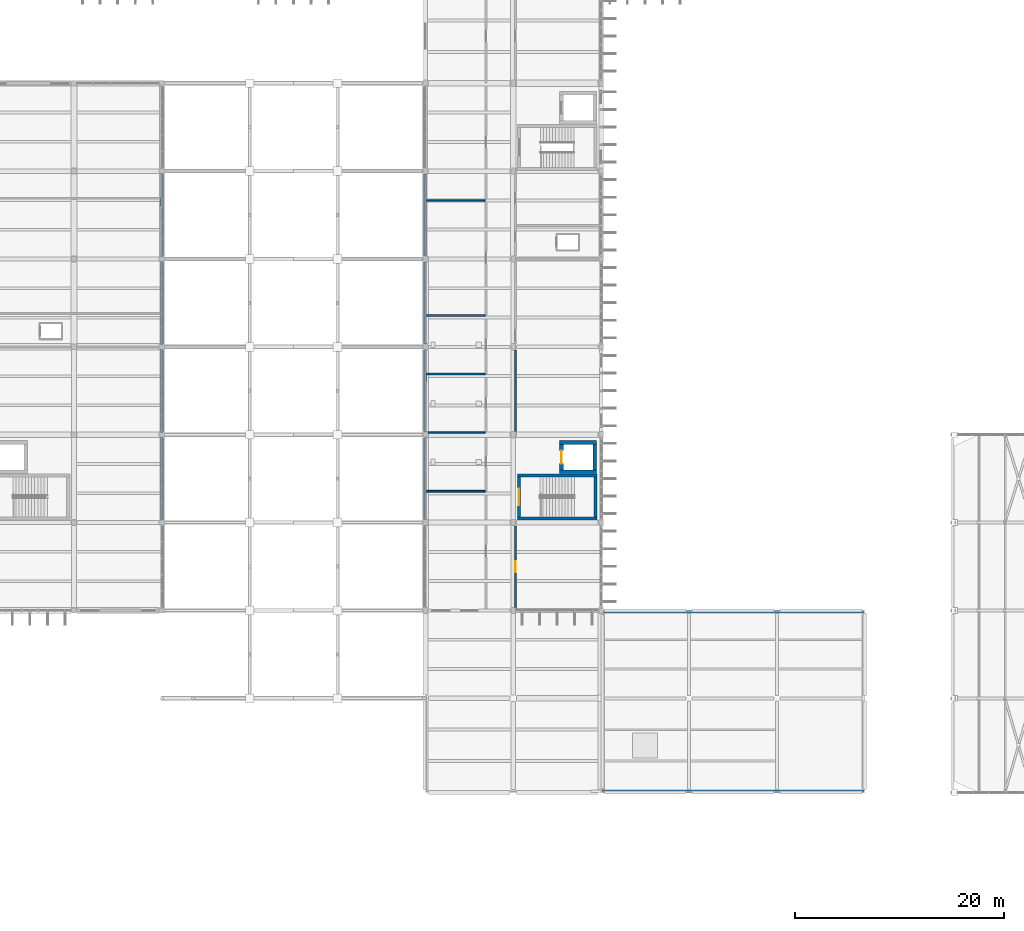
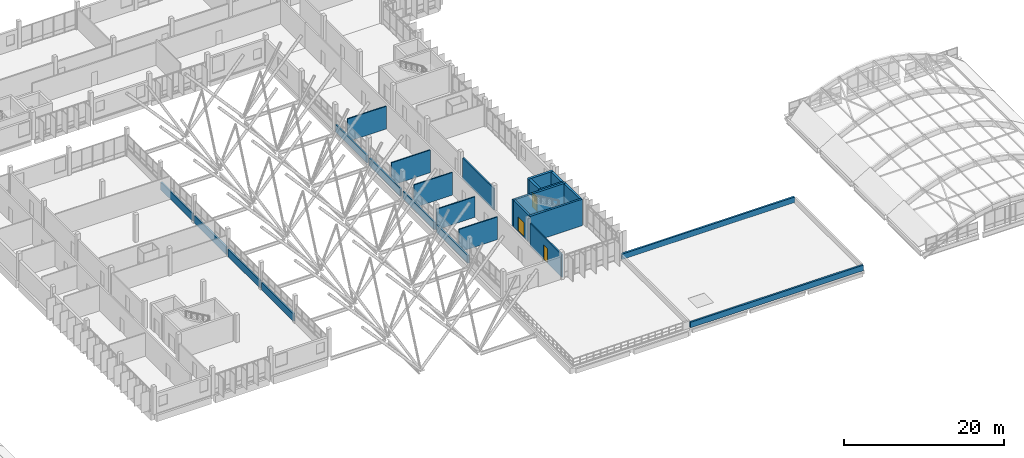
# One storey, part 93 of 107: 25 walls, 3 doors, 3 openings.
"""IFC4 building model written with IfcOpenShell, lengths in metres."""

from ifc_helpers import new_model, si_unit, direction, frame, frame_2d, origin, place, context, subcontext, project, spatial, rectangle, extrude, material, layer, layer_set, type_object, element, fill, save


model = new_model("IFC4")

# Units and contexts
model_context = context("Model", 3, precision=1e-05, world=origin(), true_north=direction((0.0, 1.0)))
body_context = subcontext(model_context, "Body", "Model", "MODEL_VIEW")
ifc_project = project(units=[si_unit("LENGTHUNIT", "METRE"), si_unit("AREAUNIT", "SQUARE_METRE"), si_unit("VOLUMEUNIT", "CUBIC_METRE"), si_unit("PLANEANGLEUNIT", "RADIAN"), si_unit("MASSUNIT", "GRAM", prefix="KILO")], contexts=[model_context])

# Site, building, storey
site_placement = place(None, origin())
site = spatial("IfcSite", under=ifc_project, at=site_placement, CompositionType="ELEMENT")
building_placement = place(site_placement, origin())
building = spatial("IfcBuilding", under=site, at=building_placement, Name="Vireocrest Preparatory School", CompositionType="ELEMENT")
storey_placement = place(building_placement, frame((0.0, 0.0, 13.199951171875)))
storey = spatial("IfcBuildingStorey", under=building, at=storey_placement, Name="L03", CompositionType="ELEMENT", Elevation=13.199951171875)

# Wall, opening, door
ifc_material_1 = material(Name="Gypsum board on cold-formed steel studs", Category="steel")
ifc_layer_1 = layer(ifc_material_1, 0.199951171875)
ifc_layer_set_1 = layer_set([ifc_layer_1], Name="Gypsum board on cold-formed steel studs")
wall_type_1 = type_object("IfcWallType", Name="Corridor One-Hour Fire Partition 200", PredefinedType="PARTITIONING", material=ifc_layer_set_1)
wall_1_placement = place(storey_placement, frame((101.0, 35.56494140625, 0.0), z_axis=(0.0, 0.0, 1.0), x_axis=(0.0, 1.0, 0.0)))
wall_1 = element("IfcWall", 1, at=wall_1_placement, inside=storey, type_object=wall_type_1, Name="Interior Partition W06 IW_L03_0284", PredefinedType="PARTITIONING", context=body_context, shape_type="SweptSolid", body=[
    extrude(rectangle(XDim=7.925048828125, YDim=0.199951171875, at=frame_2d((3.96240234375, 0.0))), origin(), (0.0, 0.0, 1.0), 3.429931640625),
])
opening_1_placement = place(wall_1_placement, frame((3.510009765625, 0.0, 0.0)))
opening_1 = element("IfcOpeningElement", 2, at=opening_1_placement, cuts=wall_1, Name="Opening D-L03-E3E01", PredefinedType="OPENING", context=body_context, shape_type="SweptSolid", body=[
    extrude(rectangle(XDim=1.050048828125, YDim=2.199951171875, at=frame_2d((0.52490234375, 1.10009765625))), frame((0.0, 0.10986328125, 0.0), z_axis=(0.0, -1.0, 0.0), x_axis=(1.0, 0.0, 0.0)), (0.0, 0.0, 1.0), 0.219970703125),
])
ifc_material_2 = material(Name="Painted galvanized hollow steel", Category="steel")
door_type_1 = type_object("IfcDoorType", Name="Laboratory Fire Door 1050x2200", OperationType="NOTDEFINED", PredefinedType="DOOR", material=ifc_material_2)
door_1_placement = place(opening_1_placement, origin())
door_1 = element("IfcDoor", 3, at=door_1_placement, inside=storey, type_object=door_type_1, Name="Interior Door D-L03-E3E01", OperationType="SINGLE_SWING_RIGHT", OverallHeight=2.199951171875, OverallWidth=1.050048828125, PredefinedType="DOOR", context=body_context, shape_type="SweptSolid", body=[
    extrude(rectangle(XDim=1.050048828125, YDim=2.199951171875, at=frame_2d((0.52490234375, 1.10009765625))), frame((0.0, 0.02490234375, 0.0), z_axis=(0.0, -1.0, 0.0), x_axis=(1.0, 0.0, 0.0)), (0.0, 0.0, 1.0), 0.050048828125),
])
fill(opening_1, door_1)

# Walls
wall_2_placement = place(storey_placement, frame((101.0, 52.510009765625, 0.0), z_axis=(0.0, 0.0, 1.0), x_axis=(0.0, 1.0, 0.0)))
element("IfcWall", 4, at=wall_2_placement, inside=storey, type_object=wall_type_1, Name="Interior Partition W06 IW_L03_0287", PredefinedType="PARTITIONING", context=body_context, shape_type="SweptSolid", body=[
    extrude(rectangle(XDim=7.780029296875, YDim=0.199951171875, at=frame_2d((3.89013671875, 0.0))), origin(), (0.0, 0.0, 1.0), 3.239990234375),
])
ifc_material_3 = material(Name="Precast white concrete 40 MPa", Category="concrete")
ifc_layer_2 = layer(ifc_material_3, 0.260009765625)
ifc_layer_set_2 = layer_set([ifc_layer_2], Name="Precast white concrete 40 MPa")
wall_type_2 = type_object("IfcWallType", Name="Insulated Roof Parapet Wall 260", PredefinedType="PARAPET", material=ifc_layer_set_2)
for number, where, z_axis, x_axis, name in (
    (5, (109.330078125, 18.1298828125, 0.0), (0.0, 0.0, 1.0), (1.0, 0.0, 0.0), "Roof Parapet W09 L03_EAST_STUDIO_ROOF-13"),
    (6, (109.330078125, 35.27001953125, 0.0), (0.0, 0.0, 1.0), (1.0, 0.0, 0.0), "Roof Parapet W09 L03_EAST_STUDIO_ROOF-14"),
):
    element("IfcWall", number, at=place(storey_placement, frame(where, z_axis=z_axis, x_axis=x_axis)), inside=storey, type_object=wall_type_2, Name=name, PredefinedType="PARAPET", context=body_context, shape_type="SweptSolid", body=[
        extrude(rectangle(XDim=24.93994140625, YDim=0.260009765625, at=frame_2d((12.469970703125, 0.0))), origin(), (0.0, 0.0, 1.0), 0.85009765625),
    ])
ifc_layer_3 = layer(ifc_material_1, 0.159912109375)
ifc_layer_set_3 = layer_set([ifc_layer_3], Name="Gypsum board on cold-formed steel studs")
wall_type_3 = type_object("IfcWallType", Name="Laboratory Wet-Service Partition Wall 160", PredefinedType="PARTITIONING", material=ifc_layer_set_3)
wall_3_placement = place(storey_placement, frame((92.52490234375, 46.800048828125, 0.0), z_axis=(0.0, 0.0, 1.0), x_axis=(1.0, 0.0, 0.0)))
element("IfcWall", 7, at=wall_3_placement, inside=storey, type_object=wall_type_3, Name="Interior Partition W04 IW_L03_0278", PredefinedType="PARTITIONING", context=body_context, shape_type="SweptSolid", body=[
    extrude(rectangle(XDim=5.570068359375, YDim=0.159912109375, at=frame_2d((2.78515625, 0.0))), origin(), (0.0, 0.0, 1.0), 3.4599609375),
])
wall_4_placement = place(storey_placement, frame((92.52490234375, 52.39990234375, 0.0), z_axis=(0.0, 0.0, 1.0), x_axis=(1.0, 0.0, 0.0)))
element("IfcWall", 8, at=wall_4_placement, inside=storey, type_object=wall_type_3, Name="Interior Partition W04 IW_L03_0279", PredefinedType="PARTITIONING", context=body_context, shape_type="SweptSolid", body=[
    extrude(rectangle(XDim=5.570068359375, YDim=0.159912109375, at=frame_2d((2.78515625, 0.0))), origin(), (0.0, 0.0, 1.0), 3.14013671875),
])
for number, where, z_axis, x_axis, name in (
    (9, (92.52490234375, 58.0, 0.0), (0.0, 0.0, 1.0), (1.0, 0.0, 0.0), "Interior Partition W04 IW_L03_0280"),
    (10, (92.52490234375, 63.60009765625, 0.0), (0.0, 0.0, 1.0), (1.0, 0.0, 0.0), "Interior Partition W04 IW_L03_0281"),
    (11, (92.52490234375, 74.60009765625, 0.0), (0.0, 0.0, 1.0), (1.0, 0.0, 0.0), "Interior Partition W04 IW_L03_0282"),
):
    element("IfcWall", number, at=place(storey_placement, frame(where, z_axis=z_axis, x_axis=x_axis)), inside=storey, type_object=wall_type_3, Name=name, PredefinedType="PARTITIONING", context=body_context, shape_type="SweptSolid", body=[
        extrude(rectangle(XDim=5.570068359375, YDim=0.159912109375, at=frame_2d((2.78515625, 0.0))), origin(), (0.0, 0.0, 1.0), 3.4599609375),
    ])
ifc_material_4 = material(Name="Concrete 45 MPa", Category="concrete")
ifc_layer_4 = layer(ifc_material_4, 0.35009765625)
ifc_layer_set_4 = layer_set([ifc_layer_4], Name="Concrete 45 MPa")
wall_type_4 = type_object("IfcWallType", Name="Two-Hour RC Lift Core Shear Wall 350", PredefinedType="SHEAR", material=ifc_layer_set_4)
for number, where, z_axis, x_axis, name in (
    (12, (105.22509765625, 48.64990234375, 0.0), (0.0, 0.0, 1.0), (1.0, 0.0, 0.0), "Lift Core Shear Wall LF2 L03-S"),
    (13, (105.22509765625, 51.449951171875, 0.0), (0.0, 0.0, 1.0), (1.0, 0.0, 0.0), "Lift Core Shear Wall LF2 L03-N"),
):
    element("IfcWall", number, at=place(storey_placement, frame(where, z_axis=z_axis, x_axis=x_axis)), inside=storey, type_object=wall_type_4, Name=name, PredefinedType="SHEAR", context=body_context, shape_type="SweptSolid", body=[
        extrude(rectangle(XDim=3.5498046875, YDim=0.35009765625, at=frame_2d((1.77490234375, 0.0))), origin(), (0.0, 0.0, 1.0), 3.920166015625),
    ])

# Wall, opening, door
wall_5_placement = place(storey_placement, frame((105.39990234375, 48.824951171875, 0.0), z_axis=(0.0, 0.0, 1.0), x_axis=(0.0, 1.0, 0.0)))
wall_5 = element("IfcWall", 14, at=wall_5_placement, inside=storey, type_object=wall_type_4, Name="Lift Core Shear Wall LF2 L03-W", PredefinedType="SHEAR", context=body_context, shape_type="SweptSolid", body=[
    extrude(rectangle(XDim=2.449951171875, YDim=0.35009765625, at=frame_2d((1.22509765625, 0.0))), origin(), (0.0, 0.0, 1.0), 3.920166015625),
])
opening_2_placement = place(wall_5_placement, frame((0.60009765625, 0.0, 0.0)))
opening_2 = element("IfcOpeningElement", 15, at=opening_2_placement, cuts=wall_5, Name="Opening LD-LF2-L03", PredefinedType="OPENING", context=body_context, shape_type="SweptSolid", body=[
    extrude(rectangle(XDim=1.25, YDim=2.25, at=frame_2d((0.625, 1.125))), frame((0.0, 0.18505859375, 0.0), z_axis=(0.0, -1.0, 0.0), x_axis=(1.0, 0.0, 0.0)), (0.0, 0.0, 1.0), 0.3701171875),
])
door_type_2 = type_object("IfcDoorType", Name="Stretcher Lift Landing Sliding Door 1250x2250", OperationType="DOUBLE_DOOR_SLIDING", PredefinedType="DOOR", material=ifc_material_2)
door_2_placement = place(opening_2_placement, origin())
door_2 = element("IfcDoor", 16, at=door_2_placement, inside=storey, type_object=door_type_2, Name="Lift Landing Door LD-LF2-L03", OperationType="DOUBLE_DOOR_SLIDING", OverallHeight=2.25, OverallWidth=1.25, PredefinedType="DOOR", context=body_context, shape_type="SweptSolid", body=[
    extrude(rectangle(XDim=1.25, YDim=2.25, at=frame_2d((0.625, 1.125))), frame((0.0, 0.02490234375, 0.0), z_axis=(0.0, -1.0, 0.0), x_axis=(1.0, 0.0, 0.0)), (0.0, 0.0, 1.0), 0.050048828125),
])
fill(opening_2, door_2)

# Walls
wall_6_placement = place(storey_placement, frame((108.60009765625, 48.824951171875, 0.0), z_axis=(0.0, 0.0, 1.0), x_axis=(0.0, 1.0, 0.0)))
element("IfcWall", 17, at=wall_6_placement, inside=storey, type_object=wall_type_4, Name="Lift Core Shear Wall LF2 L03-E", PredefinedType="SHEAR", context=body_context, shape_type="SweptSolid", body=[
    extrude(rectangle(XDim=2.449951171875, YDim=0.35009765625, at=frame_2d((1.22509765625, 0.0))), origin(), (0.0, 0.0, 1.0), 3.920166015625),
])
ifc_layer_5 = layer(ifc_material_4, 0.300048828125)
ifc_layer_set_5 = layer_set([ifc_layer_5], Name="Concrete 45 MPa")
wall_type_5 = type_object("IfcWallType", Name="Two-Hour RC Stair Shaft Shear Wall 300", PredefinedType="SHEAR", material=ifc_layer_set_5)
for number, where, z_axis, x_axis, name in (
    (18, (101.199951171875, 44.199951171875, 0.0), (0.0, 0.0, 1.0), (1.0, 0.0, 0.0), "Stair Core Shear Wall ST2 L03-S"),
    (19, (101.199951171875, 48.300048828125, 0.0), (0.0, 0.0, 1.0), (1.0, 0.0, 0.0), "Stair Core Shear Wall ST2 L03-N"),
):
    element("IfcWall", number, at=place(storey_placement, frame(where, z_axis=z_axis, x_axis=x_axis)), inside=storey, type_object=wall_type_5, Name=name, PredefinedType="SHEAR", context=body_context, shape_type="SweptSolid", body=[
        extrude(rectangle(XDim=7.60009765625, YDim=0.300048828125, at=frame_2d((3.800048828125, 0.0))), origin(), (0.0, 0.0, 1.0), 4.025146484375),
    ])

# Wall, opening, door
wall_7_placement = place(storey_placement, frame((101.35009765625, 44.35009765625, 0.0), z_axis=(0.0, 0.0, 1.0), x_axis=(0.0, 1.0, 0.0)))
wall_7 = element("IfcWall", 20, at=wall_7_placement, inside=storey, type_object=wall_type_5, Name="Stair Core Shear Wall ST2 L03-W", PredefinedType="SHEAR", context=body_context, shape_type="SweptSolid", body=[
    extrude(rectangle(XDim=3.7998046875, YDim=0.300048828125, at=frame_2d((1.89990234375, 0.0))), origin(), (0.0, 0.0, 1.0), 4.025146484375),
])
opening_3_placement = place(wall_7_placement, frame((1.10009765625, 0.0, 0.0)))
opening_3 = element("IfcOpeningElement", 21, at=opening_3_placement, cuts=wall_7, Name="Opening SD-ST2-L03", PredefinedType="OPENING", context=body_context, shape_type="SweptSolid", body=[
    extrude(rectangle(XDim=1.60009765625, YDim=2.199951171875, at=frame_2d((0.800048828125, 1.10009765625))), frame((0.0, 0.159912109375, 0.0), z_axis=(0.0, -1.0, 0.0), x_axis=(1.0, 0.0, 0.0)), (0.0, 0.0, 1.0), 0.320068359375),
])
door_type_3 = type_object("IfcDoorType", Name="Stair Core Lobby Fire Door 1600x2200", OperationType="DOUBLE_DOOR_SINGLE_SWING", PredefinedType="DOOR", material=ifc_material_2)
door_3_placement = place(opening_3_placement, origin())
door_3 = element("IfcDoor", 22, at=door_3_placement, inside=storey, type_object=door_type_3, Name="Stair Enclosure Fire Door SD-ST2-L03", OperationType="DOUBLE_DOOR_SINGLE_SWING", OverallHeight=2.199951171875, OverallWidth=1.60009765625, PredefinedType="DOOR", context=body_context, shape_type="SweptSolid", body=[
    extrude(rectangle(XDim=1.60009765625, YDim=2.199951171875, at=frame_2d((0.800048828125, 1.10009765625))), frame((0.0, 0.02490234375, 0.0), z_axis=(0.0, -1.0, 0.0), x_axis=(1.0, 0.0, 0.0)), (0.0, 0.0, 1.0), 0.050048828125),
])
fill(opening_3, door_3)

# Walls
wall_8_placement = place(storey_placement, frame((108.64990234375, 44.35009765625, 0.0), z_axis=(0.0, 0.0, 1.0), x_axis=(0.0, 1.0, 0.0)))
element("IfcWall", 23, at=wall_8_placement, inside=storey, type_object=wall_type_5, Name="Stair Core Shear Wall ST2 L03-E", PredefinedType="SHEAR", context=body_context, shape_type="SweptSolid", body=[
    extrude(rectangle(XDim=3.7998046875, YDim=0.300048828125, at=frame_2d((1.89990234375, 0.0))), origin(), (0.0, 0.0, 1.0), 4.025146484375),
])
ifc_layer_6 = layer(ifc_material_3, 0.239990234375)
ifc_layer_set_6 = layer_set([ifc_layer_6], Name="Precast white concrete 40 MPa")
wall_type_6 = type_object("IfcWallType", Name="White Precast Courtyard Spandrel Wall 240", PredefinedType="SOLIDWALL", material=ifc_layer_set_6)
wall_9_placement = place(storey_placement, frame((67.199951171875, 44.02490234375, 0.0), z_axis=(0.0, 0.0, 1.0), x_axis=(0.0, 1.0, 0.0)))
element("IfcWall", 24, at=wall_9_placement, inside=storey, type_object=wall_type_6, Name="External Wall W08 EW_L03_0311", PredefinedType="SOLIDWALL", context=body_context, shape_type="SweptSolid", body=[
    extrude(rectangle(XDim=7.9501953125, YDim=0.239990234375, at=frame_2d((3.97509765625, 0.0))), origin(), (0.0, 0.0, 1.0), 1.150146484375),
])
for number, where, z_axis, x_axis, name in (
    (25, (67.199951171875, 52.425048828125, 0.0), (0.0, 0.0, 1.0), (0.0, 1.0, 0.0), "External Wall W08 EW_L03_0312"),
    (26, (67.199951171875, 60.824951171875, 0.0), (0.0, 0.0, 1.0), (0.0, 1.0, 0.0), "External Wall W08 EW_L03_0313"),
    (27, (67.199951171875, 69.22509765625, 0.0), (0.0, 0.0, 1.0), (0.0, 1.0, 0.0), "External Wall W08 EW_L03_0314"),
):
    element("IfcWall", number, at=place(storey_placement, frame(where, z_axis=z_axis, x_axis=x_axis)), inside=storey, type_object=wall_type_6, Name=name, PredefinedType="SOLIDWALL", context=body_context, shape_type="SweptSolid", body=[
        extrude(rectangle(XDim=7.949951171875, YDim=0.239990234375, at=frame_2d((3.97509765625, 0.0))), origin(), (0.0, 0.0, 1.0), 1.150146484375),
    ])
wall_10_placement = place(storey_placement, frame((92.39990234375, 44.074951171875, 0.0), z_axis=(0.0, 0.0, 1.0), x_axis=(0.0, 1.0, 0.0)))
element("IfcWall", 28, at=wall_10_placement, inside=storey, type_object=wall_type_6, Name="External Wall W08 EW_L03_0342", PredefinedType="SOLIDWALL", context=body_context, shape_type="SweptSolid", body=[
    extrude(rectangle(XDim=7.85009765625, YDim=0.239990234375, at=frame_2d((3.925048828125, 0.0))), origin(), (0.0, 0.0, 1.0), 1.150146484375),
])
wall_11_placement = place(storey_placement, frame((92.39990234375, 52.47509765625, 0.0), z_axis=(0.0, 0.0, 1.0), x_axis=(0.0, 1.0, 0.0)))
element("IfcWall", 29, at=wall_11_placement, inside=storey, type_object=wall_type_6, Name="External Wall W08 EW_L03_0343", PredefinedType="SOLIDWALL", context=body_context, shape_type="SweptSolid", body=[
    extrude(rectangle(XDim=7.849853515625, YDim=0.239990234375, at=frame_2d((3.9248046875, 0.0))), origin(), (0.0, 0.0, 1.0), 1.150146484375),
])
for number, where, z_axis, x_axis, name in (
    (30, (92.39990234375, 60.875, 0.0), (0.0, 0.0, 1.0), (0.0, 1.0, 0.0), "External Wall W08 EW_L03_0344"),
    (31, (92.39990234375, 69.27490234375, 0.0), (0.0, 0.0, 1.0), (0.0, 1.0, 0.0), "External Wall W08 EW_L03_0345"),
):
    element("IfcWall", number, at=place(storey_placement, frame(where, z_axis=z_axis, x_axis=x_axis)), inside=storey, type_object=wall_type_6, Name=name, PredefinedType="SOLIDWALL", context=body_context, shape_type="SweptSolid", body=[
        extrude(rectangle(XDim=7.85009765625, YDim=0.239990234375, at=frame_2d((3.925048828125, 0.0))), origin(), (0.0, 0.0, 1.0), 1.150146484375),
    ])

save(model, "model.ifc")
